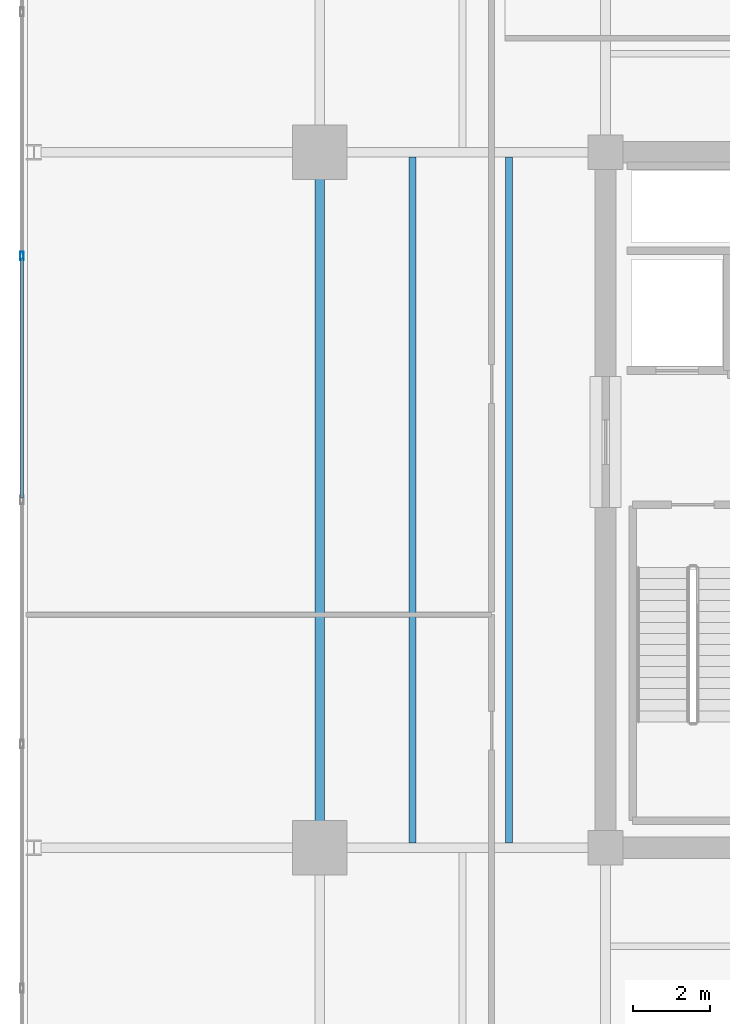
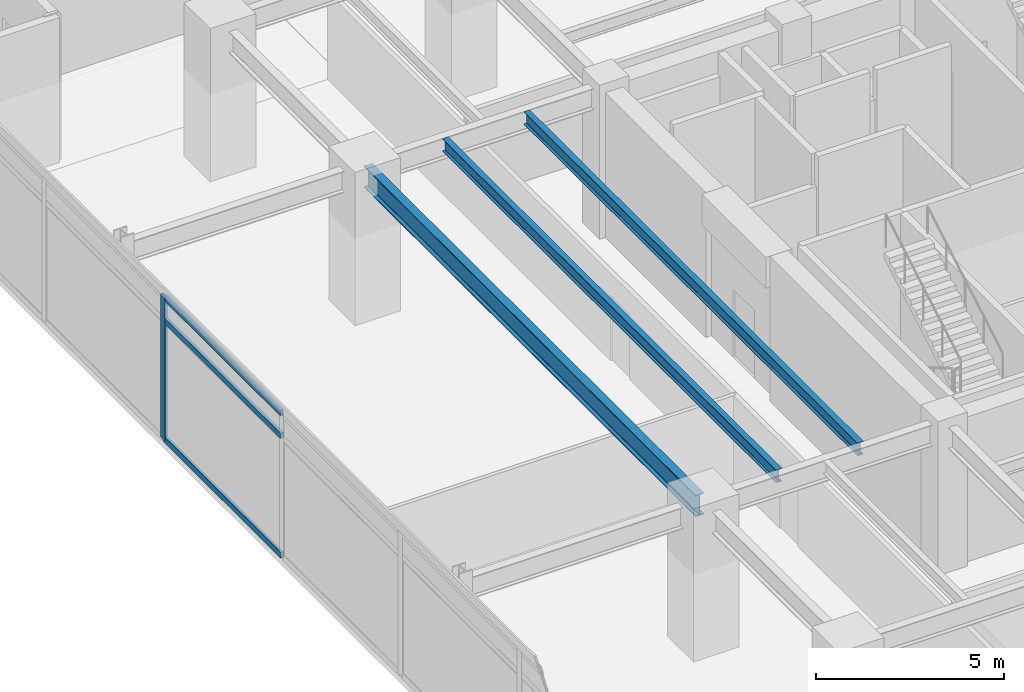
# One storey, part 5 of 25: 4 members, 3 beams, 1 element without a shape of its own.
"""IFC4 building model written with IfcOpenShell, lengths in metres."""

from ifc_helpers import new_model, si_unit, direction, frame, origin, origin_2d, place, context, subcontext, project, spatial, hollow_rectangle, i_section, extrude, material, material_profile, profile_set, type_object, element, aggregate, save


model = new_model("IFC4")

# Units and contexts
model_context = context("Model", 3, precision=1e-05, world=origin(), true_north=direction((0.0, 1.0)))
body_context = subcontext(model_context, "Body", "Model", "MODEL_VIEW")
ifc_project = project(units=[si_unit("LENGTHUNIT", "METRE"), si_unit("AREAUNIT", "SQUARE_METRE"), si_unit("VOLUMEUNIT", "CUBIC_METRE"), si_unit("PLANEANGLEUNIT", "RADIAN"), si_unit("MASSUNIT", "GRAM", prefix="KILO")], contexts=[model_context])

# Site, building, storey
site_placement = place(None, origin())
site = spatial("IfcSite", under=ifc_project, at=site_placement, CompositionType="ELEMENT")
building_placement = place(site_placement, origin())
building = spatial("IfcBuilding", under=site, at=building_placement, Name="Kovane Verandah Tower", CompositionType="ELEMENT")
storey_placement = place(building_placement, frame((0.0, 0.0, 233.199951171875)))
storey = spatial("IfcBuildingStorey", under=building, at=storey_placement, Name="L54", CompositionType="ELEMENT", Elevation=233.199951171875)

# Beam
ifc_material_1 = material(Name="Steel S355", Category="steel")
ifc_material_profile_1 = material_profile(ifc_material_1, i_section(OverallWidth=0.255859375, OverallDepth=0.69287109375, WebThickness=0.014404296875, FlangeThickness=0.023681640625, FilletRadius=0.01513671875, at=origin_2d()), Name="UB686x254x170")
ifc_profile_set_1 = profile_set([ifc_material_profile_1], Name="Steel S355")
beam_type_1 = type_object("IfcBeamType", Name="BM-UB686x170", PredefinedType="BEAM", material=ifc_profile_set_1)
beam_placement = place(storey_placement, frame((21.60009765625, 18.679931640625, 4.353759765625), z_axis=(0.0, 1.0, 0.0), x_axis=(-1.0, 0.0, 0.0)))
element("IfcBeam", 1, at=beam_placement, inside=storey, type_object=beam_type_1, Name="L54 Primary Tower Girder G-RW2", PredefinedType="BEAM", context=body_context, shape_type="SweptSolid", body=[
    extrude(i_section(OverallWidth=0.255859375, OverallDepth=0.69287109375, WebThickness=0.014404296875, FlangeThickness=0.023681640625, FilletRadius=0.01513671875, at=origin_2d()), origin(), (0.0, 0.0, 1.0), 17.64013671875),
])

# Curtain wall, members
ifc_material_2 = material(Name="Champagne Anodised Aluminium Frame with Low-E Clear Laminated Glass", Category="aluminium")
curtain_wall_type = type_object("IfcCurtainWallType", Name="CW-SYS-03-MID", PredefinedType="NOTDEFINED", material=ifc_material_2)
curtain_wall_placement = place(storey_placement, origin())
curtain_wall = element("IfcCurtainWall", 2, at=curtain_wall_placement, inside=storey, type_object=curtain_wall_type, Name="L54 W Unitised Curtain Wall", PredefinedType="NOTDEFINED")
ifc_material_3 = material(Name="Champagne Anodised Aluminium 6063-T6", Category="aluminium")
ifc_material_profile_2 = material_profile(ifc_material_3, hollow_rectangle(XDim=0.0849609375, YDim=0.22998046875, WallThickness=0.00390625, at=origin_2d()), Name="AL85x230x4")
ifc_profile_set_2 = profile_set([ifc_material_profile_2], Name="Champagne Anodised Aluminium 6063-T6")
member_type_1 = type_object("IfcMemberType", Name="CW-MUL-85x230", PredefinedType="MULLION", material=ifc_profile_set_2)
member_1_placement = place(storey_placement, frame((13.892822265625, 33.81640625, 0.02001953125), z_axis=(0.0, 0.0, 1.0), x_axis=(-1.0, 0.0, 0.0)))
member_1 = element("IfcMember", 3, at=member_1_placement, type_object=member_type_1, Name="L54 W Unitised Curtain Wall Mullion 3", PredefinedType="MULLION", context=body_context, shape_type="SweptSolid", body=[
    extrude(hollow_rectangle(XDim=0.0849609375, YDim=0.22998046875, WallThickness=0.00390625, at=origin_2d()), origin(), (0.0, 0.0, 1.0), 4.659912109375),
])
ifc_material_profile_3 = material_profile(ifc_material_3, hollow_rectangle(XDim=0.0849609375, YDim=0.18994140625, WallThickness=0.00390625, at=origin_2d()), Name="AL85x190x4")
ifc_profile_set_3 = profile_set([ifc_material_profile_3], Name="Champagne Anodised Aluminium 6063-T6")
member_type_2 = type_object("IfcMemberType", Name="CW-TRN-85x190", PredefinedType="USERDEFINED", material=ifc_profile_set_3)
member_2_placement = place(storey_placement, frame((13.892822265625, 33.7666015625, 0.050048828125), z_axis=(0.0, -1.0, 0.0), x_axis=(1.0, 0.0, 0.0)))
member_2 = element("IfcMember", 4, at=member_2_placement, type_object=member_type_2, Name="L54 W Unitised Curtain Wall Transom TB Bay 3", ObjectType="TRANSOM", PredefinedType="USERDEFINED", context=body_context, shape_type="SweptSolid", body=[
    extrude(hollow_rectangle(XDim=0.0849609375, YDim=0.18994140625, WallThickness=0.00390625, at=origin_2d()), origin(), (0.0, 0.0, 1.0), 6.216552734375),
])
member_3_placement = place(storey_placement, frame((13.892822265625, 33.7666015625, 3.920166015625), z_axis=(0.0, -1.0, 0.0), x_axis=(1.0, 0.0, 0.0)))
member_3 = element("IfcMember", 5, at=member_3_placement, type_object=member_type_2, Name="L54 W Unitised Curtain Wall Transom TM Bay 3", ObjectType="TRANSOM", PredefinedType="USERDEFINED", context=body_context, shape_type="SweptSolid", body=[
    extrude(hollow_rectangle(XDim=0.0849609375, YDim=0.18994140625, WallThickness=0.00390625, at=origin_2d()), origin(), (0.0, 0.0, 1.0), 6.216552734375),
])
member_4_placement = place(storey_placement, frame((13.892822265625, 33.7666015625, 4.650146484375), z_axis=(0.0, -1.0, 0.0), x_axis=(1.0, 0.0, 0.0)))
member_4 = element("IfcMember", 6, at=member_4_placement, type_object=member_type_2, Name="L54 W Unitised Curtain Wall Transom TT Bay 3", ObjectType="TRANSOM", PredefinedType="USERDEFINED", context=body_context, shape_type="SweptSolid", body=[
    extrude(hollow_rectangle(XDim=0.0849609375, YDim=0.18994140625, WallThickness=0.00390625, at=origin_2d()), origin(), (0.0, 0.0, 1.0), 6.216552734375),
])
aggregate(curtain_wall, [member_1, member_2, member_3, member_4])

# Beams
ifc_material_profile_4 = material_profile(ifc_material_1, i_section(OverallWidth=0.179443359375, OverallDepth=0.412841796875, WebThickness=0.009521484375, FlangeThickness=0.01611328125, FilletRadius=0.01025390625, at=origin_2d()), Name="UB406x178x74")
ifc_profile_set_4 = profile_set([ifc_material_profile_4], Name="Steel S355")
beam_type_2 = type_object("IfcBeamType", Name="JST-UB406x74", PredefinedType="JOIST", material=ifc_profile_set_4)
for number, where, z_axis, x_axis, name in (
    (7, (24.0, 18.6259765625, 4.49365234375), (0.0, 1.0, 0.0), (-1.0, 0.0, 0.0), "L54 Secondary Composite Joist J-W1"),
    (8, (26.5, 18.6259765625, 4.49365234375), (0.0, 1.0, 0.0), (-1.0, 0.0, 0.0), "L54 Secondary Composite Joist J-W2"),
):
    element("IfcBeam", number, at=place(storey_placement, frame(where, z_axis=z_axis, x_axis=x_axis)), inside=storey, type_object=beam_type_2, Name=name, PredefinedType="JOIST", context=body_context, shape_type="SweptSolid", body=[
        extrude(i_section(OverallWidth=0.179443359375, OverallDepth=0.412841796875, WebThickness=0.009521484375, FlangeThickness=0.01611328125, FilletRadius=0.01025390625, at=origin_2d()), origin(), (0.0, 0.0, 1.0), 17.748046875),
    ])

save(model, "model.ifc")
